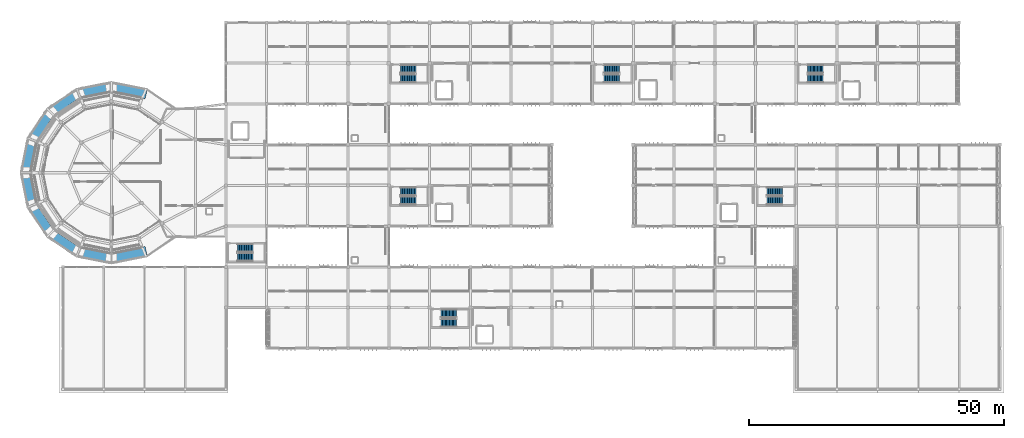
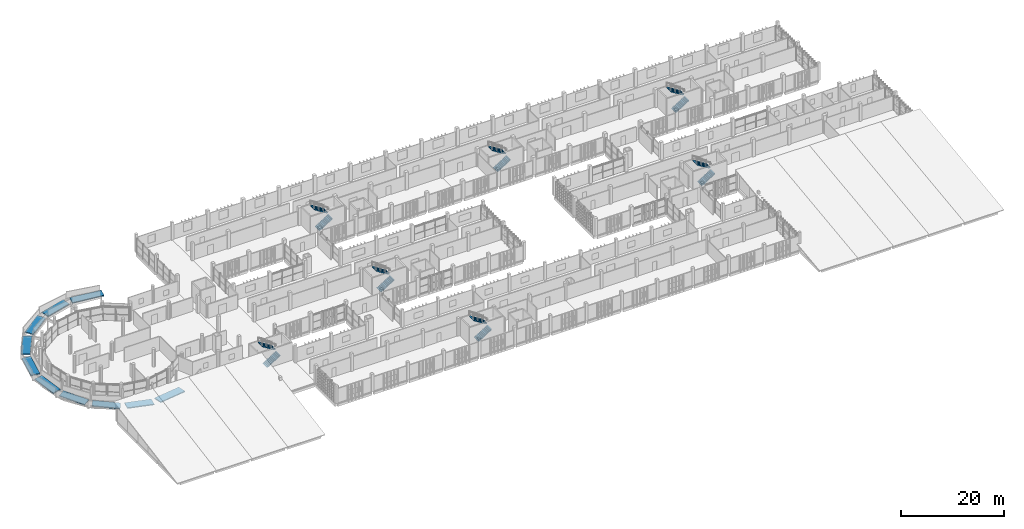
# One storey, part 75 of 83: 14 stair flights, 10 ramp flights, 8 elements without a shape of their own.
"""IFC4 building model written with IfcOpenShell, lengths in metres."""

from ifc_helpers import new_model, si_unit, direction, frame, origin, place, context, subcontext, project, spatial, polyline, outline, extrude, material, type_object, element, aggregate, save


model = new_model("IFC4")

# Units and contexts
model_context = context("Model", 3, precision=1e-05, world=origin(), true_north=direction((0.0, 1.0)))
body_context = subcontext(model_context, "Body", "Model", "MODEL_VIEW")
ifc_project = project(units=[si_unit("LENGTHUNIT", "METRE"), si_unit("AREAUNIT", "SQUARE_METRE"), si_unit("VOLUMEUNIT", "CUBIC_METRE"), si_unit("PLANEANGLEUNIT", "RADIAN"), si_unit("MASSUNIT", "GRAM", prefix="KILO")], contexts=[model_context])

# Site, building, storey
site_placement = place(None, origin())
site = spatial("IfcSite", under=ifc_project, at=site_placement, CompositionType="ELEMENT")
building_placement = place(site_placement, origin())
building = spatial("IfcBuilding", under=site, at=building_placement, Name="Jelvoka-Kovrelna Polytechnic", CompositionType="ELEMENT")
storey_placement = place(building_placement, frame((0.0, 0.0, 13.800048828125)))
storey = spatial("IfcBuildingStorey", under=building, at=storey_placement, Name="L04", CompositionType="ELEMENT", Elevation=13.800048828125)

# Stair, stair flights
ifc_material_1 = material(Name="Concrete C35/45", Category="concrete")
stair_type_1 = type_object("IfcStairType", Name="Stair_Dogleg_1620", PredefinedType="TWO_STRAIGHT_RUN_STAIR", material=ifc_material_1)
stair_1_placement = place(storey_placement, origin())
stair_1 = element("IfcStair", 1, at=stair_1_placement, inside=storey, type_object=stair_type_1, Name="L04 ST03", PredefinedType="TWO_STRAIGHT_RUN_STAIR")
ifc_material_2 = material(Name="Concrete C35/45", Category="concrete")
stair_flight_type = type_object("IfcStairFlightType", Name="Flight_RC_175", PredefinedType="STRAIGHT", material=ifc_material_2)
stair_flight_1_placement = place(storey_placement, frame((50.25, 25.909912109375, 0.0), z_axis=(0.0, 0.0, 1.0), x_axis=(1.0, 0.0, 0.0)))
stair_flight_1 = element("IfcStairFlight", 2, at=stair_flight_1_placement, type_object=stair_flight_type, Name="ST03 flight 1", NumberOfRisers=12, NumberOfTreads=11, PredefinedType="STRAIGHT", RiserHeight=0.175, TreadLength=0.275, context=body_context, shape_type="SweptSolid", body=[
    extrude(outline(polyline([(0.0, 0.0), (0.0, 0.175048828125), (0.27490234375, 0.175048828125), (0.27490234375, 0.35009765625), (0.550048828125, 0.35009765625), (0.550048828125, 0.52490234375), (0.824951171875, 0.52490234375), (0.824951171875, 0.699951171875), (1.10009765625, 0.699951171875), (1.10009765625, 0.875), (1.375, 0.875), (1.375, 1.050048828125), (1.64990234375, 1.050048828125), (1.64990234375, 1.22509765625), (1.925048828125, 1.22509765625), (1.925048828125, 1.39990234375), (2.199951171875, 1.39990234375), (2.199951171875, 1.574951171875), (2.47509765625, 1.574951171875), (2.47509765625, 1.75), (2.75, 1.75), (2.75, 1.925048828125), (3.02490234375, 1.925048828125), (3.02490234375, 2.10009765625), (3.02490234375, 1.711669921875), (0.335205078125, 0.0), (0.0, 0.0)])), frame((0.0, 0.81005859375, 0.0), z_axis=(0.0, -1.0, 0.0), x_axis=(1.0, 0.0, 0.0)), (0.0, 0.0, 1.0), 1.6201171875),
])
stair_flight_2_placement = place(storey_placement, frame((53.27490234375, 27.72998046875, 2.099853515625), z_axis=(0.0, 0.0, 1.0), x_axis=(-1.0, 0.0, 0.0)))
stair_flight_2 = element("IfcStairFlight", 3, at=stair_flight_2_placement, type_object=stair_flight_type, Name="ST03 flight 2", NumberOfRisers=12, NumberOfTreads=11, PredefinedType="STRAIGHT", RiserHeight=0.175, TreadLength=0.275, context=body_context, shape_type="SweptSolid", body=[
    extrude(outline(polyline([(0.0, 0.0), (0.0, 0.175048828125), (0.27490234375, 0.175048828125), (0.27490234375, 0.35009765625), (0.550048828125, 0.35009765625), (0.550048828125, 0.52490234375), (0.824951171875, 0.52490234375), (0.824951171875, 0.699951171875), (1.10009765625, 0.699951171875), (1.10009765625, 0.875), (1.375, 0.875), (1.375, 1.050048828125), (1.64990234375, 1.050048828125), (1.64990234375, 1.22509765625), (1.925048828125, 1.22509765625), (1.925048828125, 1.39990234375), (2.199951171875, 1.39990234375), (2.199951171875, 1.574951171875), (2.47509765625, 1.574951171875), (2.47509765625, 1.75), (2.75, 1.75), (2.75, 1.925048828125), (3.02490234375, 1.925048828125), (3.02490234375, 2.10009765625), (3.02490234375, 1.711669921875), (0.335205078125, 0.0), (0.0, 0.0)])), frame((0.0, 0.81005859375, 0.0), z_axis=(0.0, -1.0, 0.0), x_axis=(1.0, 0.0, 0.0)), (0.0, 0.0, 1.0), 1.6201171875),
])
aggregate(stair_1, [stair_flight_1, stair_flight_2])

stair_2_placement = place(storey_placement, origin())
stair_2 = element("IfcStair", 4, at=stair_2_placement, inside=storey, type_object=stair_type_1, Name="L04 ST06", PredefinedType="TWO_STRAIGHT_RUN_STAIR")
stair_flight_3_placement = place(storey_placement, frame((90.25, 13.010009765625, 0.0), z_axis=(0.0, 0.0, 1.0), x_axis=(1.0, 0.0, 0.0)))
stair_flight_3 = element("IfcStairFlight", 5, at=stair_flight_3_placement, type_object=stair_flight_type, Name="ST06 flight 1", NumberOfRisers=12, NumberOfTreads=11, PredefinedType="STRAIGHT", RiserHeight=0.175, TreadLength=0.275, context=body_context, shape_type="SweptSolid", body=[
    extrude(outline(polyline([(0.0, 0.0), (0.0, 0.175048828125), (0.27490234375, 0.175048828125), (0.27490234375, 0.35009765625), (0.550048828125, 0.35009765625), (0.550048828125, 0.52490234375), (0.824951171875, 0.52490234375), (0.824951171875, 0.699951171875), (1.10009765625, 0.699951171875), (1.10009765625, 0.875), (1.375, 0.875), (1.375, 1.050048828125), (1.64990234375, 1.050048828125), (1.64990234375, 1.22509765625), (1.925048828125, 1.22509765625), (1.925048828125, 1.39990234375), (2.199951171875, 1.39990234375), (2.199951171875, 1.574951171875), (2.47509765625, 1.574951171875), (2.47509765625, 1.75), (2.75, 1.75), (2.75, 1.925048828125), (3.02490234375, 1.925048828125), (3.02490234375, 2.10009765625), (3.02490234375, 1.711669921875), (0.335205078125, 0.0), (0.0, 0.0)])), frame((0.0, 0.81005859375, 0.0), z_axis=(0.0, -1.0, 0.0), x_axis=(1.0, 0.0, 0.0)), (0.0, 0.0, 1.0), 1.6201171875),
])
stair_flight_4_placement = place(storey_placement, frame((93.27490234375, 14.830078125, 2.099853515625), z_axis=(0.0, 0.0, 1.0), x_axis=(-1.0, 0.0, 0.0)))
stair_flight_4 = element("IfcStairFlight", 6, at=stair_flight_4_placement, type_object=stair_flight_type, Name="ST06 flight 2", NumberOfRisers=12, NumberOfTreads=11, PredefinedType="STRAIGHT", RiserHeight=0.175, TreadLength=0.275, context=body_context, shape_type="SweptSolid", body=[
    extrude(outline(polyline([(0.0, 0.0), (0.0, 0.175048828125), (0.27490234375, 0.175048828125), (0.27490234375, 0.35009765625), (0.550048828125, 0.35009765625), (0.550048828125, 0.52490234375), (0.824951171875, 0.52490234375), (0.824951171875, 0.699951171875), (1.10009765625, 0.699951171875), (1.10009765625, 0.875), (1.375, 0.875), (1.375, 1.050048828125), (1.64990234375, 1.050048828125), (1.64990234375, 1.22509765625), (1.925048828125, 1.22509765625), (1.925048828125, 1.39990234375), (2.199951171875, 1.39990234375), (2.199951171875, 1.574951171875), (2.47509765625, 1.574951171875), (2.47509765625, 1.75), (2.75, 1.75), (2.75, 1.925048828125), (3.02490234375, 1.925048828125), (3.02490234375, 2.10009765625), (3.02490234375, 1.711669921875), (0.335205078125, 0.0), (0.0, 0.0)])), frame((0.0, 0.81005859375, 0.0), z_axis=(0.0, -1.0, 0.0), x_axis=(1.0, 0.0, 0.0)), (0.0, 0.0, 1.0), 1.6201171875),
])
aggregate(stair_2, [stair_flight_3, stair_flight_4])

stair_3_placement = place(storey_placement, origin())
stair_3 = element("IfcStair", 7, at=stair_3_placement, inside=storey, type_object=stair_type_1, Name="L04 ST07", PredefinedType="TWO_STRAIGHT_RUN_STAIR")
stair_flight_5_placement = place(storey_placement, frame((82.25, 37.010009765625, 0.0), z_axis=(0.0, 0.0, 1.0), x_axis=(1.0, 0.0, 0.0)))
stair_flight_5 = element("IfcStairFlight", 8, at=stair_flight_5_placement, type_object=stair_flight_type, Name="ST07 flight 1", NumberOfRisers=12, NumberOfTreads=11, PredefinedType="STRAIGHT", RiserHeight=0.175, TreadLength=0.275, context=body_context, shape_type="SweptSolid", body=[
    extrude(outline(polyline([(0.0, 0.0), (0.0, 0.175048828125), (0.27490234375, 0.175048828125), (0.27490234375, 0.35009765625), (0.550048828125, 0.35009765625), (0.550048828125, 0.52490234375), (0.824951171875, 0.52490234375), (0.824951171875, 0.699951171875), (1.10009765625, 0.699951171875), (1.10009765625, 0.875), (1.375, 0.875), (1.375, 1.050048828125), (1.64990234375, 1.050048828125), (1.64990234375, 1.22509765625), (1.925048828125, 1.22509765625), (1.925048828125, 1.39990234375), (2.199951171875, 1.39990234375), (2.199951171875, 1.574951171875), (2.47509765625, 1.574951171875), (2.47509765625, 1.75), (2.75, 1.75), (2.75, 1.925048828125), (3.02490234375, 1.925048828125), (3.02490234375, 2.10009765625), (3.02490234375, 1.711669921875), (0.335205078125, 0.0), (0.0, 0.0)])), frame((0.0, 0.81005859375, 0.0), z_axis=(0.0, -1.0, 0.0), x_axis=(1.0, 0.0, 0.0)), (0.0, 0.0, 1.0), 1.6201171875),
])
stair_flight_6_placement = place(storey_placement, frame((85.27490234375, 38.830078125, 2.099853515625), z_axis=(0.0, 0.0, 1.0), x_axis=(-1.0, 0.0, 0.0)))
stair_flight_6 = element("IfcStairFlight", 9, at=stair_flight_6_placement, type_object=stair_flight_type, Name="ST07 flight 2", NumberOfRisers=12, NumberOfTreads=11, PredefinedType="STRAIGHT", RiserHeight=0.175, TreadLength=0.275, context=body_context, shape_type="SweptSolid", body=[
    extrude(outline(polyline([(0.0, 0.0), (0.0, 0.175048828125), (0.27490234375, 0.175048828125), (0.27490234375, 0.35009765625), (0.550048828125, 0.35009765625), (0.550048828125, 0.52490234375), (0.824951171875, 0.52490234375), (0.824951171875, 0.699951171875), (1.10009765625, 0.699951171875), (1.10009765625, 0.875), (1.375, 0.875), (1.375, 1.050048828125), (1.64990234375, 1.050048828125), (1.64990234375, 1.22509765625), (1.925048828125, 1.22509765625), (1.925048828125, 1.39990234375), (2.199951171875, 1.39990234375), (2.199951171875, 1.574951171875), (2.47509765625, 1.574951171875), (2.47509765625, 1.75), (2.75, 1.75), (2.75, 1.925048828125), (3.02490234375, 1.925048828125), (3.02490234375, 2.10009765625), (3.02490234375, 1.711669921875), (0.335205078125, 0.0), (0.0, 0.0)])), frame((0.0, 0.81005859375, 0.0), z_axis=(0.0, -1.0, 0.0), x_axis=(1.0, 0.0, 0.0)), (0.0, 0.0, 1.0), 1.6201171875),
])
aggregate(stair_3, [stair_flight_5, stair_flight_6])

stair_4_placement = place(storey_placement, origin())
stair_4 = element("IfcStair", 10, at=stair_4_placement, inside=storey, type_object=stair_type_1, Name="L04 ST08", PredefinedType="TWO_STRAIGHT_RUN_STAIR")
stair_flight_7_placement = place(storey_placement, frame((154.25, 37.010009765625, 0.0), z_axis=(0.0, 0.0, 1.0), x_axis=(1.0, 0.0, 0.0)))
stair_flight_7 = element("IfcStairFlight", 11, at=stair_flight_7_placement, type_object=stair_flight_type, Name="ST08 flight 1", NumberOfRisers=12, NumberOfTreads=11, PredefinedType="STRAIGHT", RiserHeight=0.175, TreadLength=0.275, context=body_context, shape_type="SweptSolid", body=[
    extrude(outline(polyline([(0.0, 0.0), (0.0, 0.175048828125), (0.27490234375, 0.175048828125), (0.27490234375, 0.35009765625), (0.550048828125, 0.35009765625), (0.550048828125, 0.52490234375), (0.824951171875, 0.52490234375), (0.824951171875, 0.699951171875), (1.10009765625, 0.699951171875), (1.10009765625, 0.875), (1.375, 0.875), (1.375, 1.050048828125), (1.64990234375, 1.050048828125), (1.64990234375, 1.22509765625), (1.925048828125, 1.22509765625), (1.925048828125, 1.39990234375), (2.199951171875, 1.39990234375), (2.199951171875, 1.574951171875), (2.47509765625, 1.574951171875), (2.47509765625, 1.75), (2.75, 1.75), (2.75, 1.925048828125), (3.02490234375, 1.925048828125), (3.02490234375, 2.10009765625), (3.02490234375, 1.711669921875), (0.335205078125, 0.0), (0.0, 0.0)])), frame((0.0, 0.81005859375, 0.0), z_axis=(0.0, -1.0, 0.0), x_axis=(1.0, 0.0, 0.0)), (0.0, 0.0, 1.0), 1.6201171875),
])
stair_flight_8_placement = place(storey_placement, frame((157.27490234375, 38.830078125, 2.099853515625), z_axis=(0.0, 0.0, 1.0), x_axis=(-1.0, 0.0, 0.0)))
stair_flight_8 = element("IfcStairFlight", 12, at=stair_flight_8_placement, type_object=stair_flight_type, Name="ST08 flight 2", NumberOfRisers=12, NumberOfTreads=11, PredefinedType="STRAIGHT", RiserHeight=0.175, TreadLength=0.275, context=body_context, shape_type="SweptSolid", body=[
    extrude(outline(polyline([(0.0, 0.0), (0.0, 0.175048828125), (0.27490234375, 0.175048828125), (0.27490234375, 0.35009765625), (0.550048828125, 0.35009765625), (0.550048828125, 0.52490234375), (0.824951171875, 0.52490234375), (0.824951171875, 0.699951171875), (1.10009765625, 0.699951171875), (1.10009765625, 0.875), (1.375, 0.875), (1.375, 1.050048828125), (1.64990234375, 1.050048828125), (1.64990234375, 1.22509765625), (1.925048828125, 1.22509765625), (1.925048828125, 1.39990234375), (2.199951171875, 1.39990234375), (2.199951171875, 1.574951171875), (2.47509765625, 1.574951171875), (2.47509765625, 1.75), (2.75, 1.75), (2.75, 1.925048828125), (3.02490234375, 1.925048828125), (3.02490234375, 2.10009765625), (3.02490234375, 1.711669921875), (0.335205078125, 0.0), (0.0, 0.0)])), frame((0.0, 0.81005859375, 0.0), z_axis=(0.0, -1.0, 0.0), x_axis=(1.0, 0.0, 0.0)), (0.0, 0.0, 1.0), 1.6201171875),
])
aggregate(stair_4, [stair_flight_7, stair_flight_8])

stair_5_placement = place(storey_placement, origin())
stair_5 = element("IfcStair", 13, at=stair_5_placement, inside=storey, type_object=stair_type_1, Name="L04 ST09", PredefinedType="TWO_STRAIGHT_RUN_STAIR")
stair_flight_9_placement = place(storey_placement, frame((82.25, 61.010009765625, 0.0), z_axis=(0.0, 0.0, 1.0), x_axis=(1.0, 0.0, 0.0)))
stair_flight_9 = element("IfcStairFlight", 14, at=stair_flight_9_placement, type_object=stair_flight_type, Name="ST09 flight 1", NumberOfRisers=12, NumberOfTreads=11, PredefinedType="STRAIGHT", RiserHeight=0.175, TreadLength=0.275, context=body_context, shape_type="SweptSolid", body=[
    extrude(outline(polyline([(0.0, 0.0), (0.0, 0.175048828125), (0.27490234375, 0.175048828125), (0.27490234375, 0.35009765625), (0.550048828125, 0.35009765625), (0.550048828125, 0.52490234375), (0.824951171875, 0.52490234375), (0.824951171875, 0.699951171875), (1.10009765625, 0.699951171875), (1.10009765625, 0.875), (1.375, 0.875), (1.375, 1.050048828125), (1.64990234375, 1.050048828125), (1.64990234375, 1.22509765625), (1.925048828125, 1.22509765625), (1.925048828125, 1.39990234375), (2.199951171875, 1.39990234375), (2.199951171875, 1.574951171875), (2.47509765625, 1.574951171875), (2.47509765625, 1.75), (2.75, 1.75), (2.75, 1.925048828125), (3.02490234375, 1.925048828125), (3.02490234375, 2.10009765625), (3.02490234375, 1.711669921875), (0.335205078125, 0.0), (0.0, 0.0)])), frame((0.0, 0.81005859375, 0.0), z_axis=(0.0, -1.0, 0.0), x_axis=(1.0, 0.0, 0.0)), (0.0, 0.0, 1.0), 1.6201171875),
])
stair_flight_10_placement = place(storey_placement, frame((85.27490234375, 62.830078125, 2.099853515625), z_axis=(0.0, 0.0, 1.0), x_axis=(-1.0, 0.0, 0.0)))
stair_flight_10 = element("IfcStairFlight", 15, at=stair_flight_10_placement, type_object=stair_flight_type, Name="ST09 flight 2", NumberOfRisers=12, NumberOfTreads=11, PredefinedType="STRAIGHT", RiserHeight=0.175, TreadLength=0.275, context=body_context, shape_type="SweptSolid", body=[
    extrude(outline(polyline([(0.0, 0.0), (0.0, 0.175048828125), (0.27490234375, 0.175048828125), (0.27490234375, 0.35009765625), (0.550048828125, 0.35009765625), (0.550048828125, 0.52490234375), (0.824951171875, 0.52490234375), (0.824951171875, 0.699951171875), (1.10009765625, 0.699951171875), (1.10009765625, 0.875), (1.375, 0.875), (1.375, 1.050048828125), (1.64990234375, 1.050048828125), (1.64990234375, 1.22509765625), (1.925048828125, 1.22509765625), (1.925048828125, 1.39990234375), (2.199951171875, 1.39990234375), (2.199951171875, 1.574951171875), (2.47509765625, 1.574951171875), (2.47509765625, 1.75), (2.75, 1.75), (2.75, 1.925048828125), (3.02490234375, 1.925048828125), (3.02490234375, 2.10009765625), (3.02490234375, 1.711669921875), (0.335205078125, 0.0), (0.0, 0.0)])), frame((0.0, 0.81005859375, 0.0), z_axis=(0.0, -1.0, 0.0), x_axis=(1.0, 0.0, 0.0)), (0.0, 0.0, 1.0), 1.6201171875),
])
aggregate(stair_5, [stair_flight_9, stair_flight_10])

stair_6_placement = place(storey_placement, origin())
stair_6 = element("IfcStair", 16, at=stair_6_placement, inside=storey, type_object=stair_type_1, Name="L04 ST10", PredefinedType="TWO_STRAIGHT_RUN_STAIR")
stair_flight_11_placement = place(storey_placement, frame((162.25, 61.010009765625, 0.0), z_axis=(0.0, 0.0, 1.0), x_axis=(1.0, 0.0, 0.0)))
stair_flight_11 = element("IfcStairFlight", 17, at=stair_flight_11_placement, type_object=stair_flight_type, Name="ST10 flight 1", NumberOfRisers=12, NumberOfTreads=11, PredefinedType="STRAIGHT", RiserHeight=0.175, TreadLength=0.275, context=body_context, shape_type="SweptSolid", body=[
    extrude(outline(polyline([(0.0, 0.0), (0.0, 0.175048828125), (0.27490234375, 0.175048828125), (0.27490234375, 0.35009765625), (0.550048828125, 0.35009765625), (0.550048828125, 0.52490234375), (0.824951171875, 0.52490234375), (0.824951171875, 0.699951171875), (1.10009765625, 0.699951171875), (1.10009765625, 0.875), (1.375, 0.875), (1.375, 1.050048828125), (1.64990234375, 1.050048828125), (1.64990234375, 1.22509765625), (1.925048828125, 1.22509765625), (1.925048828125, 1.39990234375), (2.199951171875, 1.39990234375), (2.199951171875, 1.574951171875), (2.47509765625, 1.574951171875), (2.47509765625, 1.75), (2.75, 1.75), (2.75, 1.925048828125), (3.02490234375, 1.925048828125), (3.02490234375, 2.10009765625), (3.02490234375, 1.711669921875), (0.335205078125, 0.0), (0.0, 0.0)])), frame((0.0, 0.81005859375, 0.0), z_axis=(0.0, -1.0, 0.0), x_axis=(1.0, 0.0, 0.0)), (0.0, 0.0, 1.0), 1.6201171875),
])
stair_flight_12_placement = place(storey_placement, frame((165.27490234375, 62.830078125, 2.099853515625), z_axis=(0.0, 0.0, 1.0), x_axis=(-1.0, 0.0, 0.0)))
stair_flight_12 = element("IfcStairFlight", 18, at=stair_flight_12_placement, type_object=stair_flight_type, Name="ST10 flight 2", NumberOfRisers=12, NumberOfTreads=11, PredefinedType="STRAIGHT", RiserHeight=0.175, TreadLength=0.275, context=body_context, shape_type="SweptSolid", body=[
    extrude(outline(polyline([(0.0, 0.0), (0.0, 0.175048828125), (0.27490234375, 0.175048828125), (0.27490234375, 0.35009765625), (0.550048828125, 0.35009765625), (0.550048828125, 0.52490234375), (0.824951171875, 0.52490234375), (0.824951171875, 0.699951171875), (1.10009765625, 0.699951171875), (1.10009765625, 0.875), (1.375, 0.875), (1.375, 1.050048828125), (1.64990234375, 1.050048828125), (1.64990234375, 1.22509765625), (1.925048828125, 1.22509765625), (1.925048828125, 1.39990234375), (2.199951171875, 1.39990234375), (2.199951171875, 1.574951171875), (2.47509765625, 1.574951171875), (2.47509765625, 1.75), (2.75, 1.75), (2.75, 1.925048828125), (3.02490234375, 1.925048828125), (3.02490234375, 2.10009765625), (3.02490234375, 1.711669921875), (0.335205078125, 0.0), (0.0, 0.0)])), frame((0.0, 0.81005859375, 0.0), z_axis=(0.0, -1.0, 0.0), x_axis=(1.0, 0.0, 0.0)), (0.0, 0.0, 1.0), 1.6201171875),
])
aggregate(stair_6, [stair_flight_11, stair_flight_12])

ifc_material_3 = material(Name="Concrete C35/45", Category="concrete")
stair_type_2 = type_object("IfcStairType", Name="Stair_Dogleg_1580", PredefinedType="TWO_STRAIGHT_RUN_STAIR", material=ifc_material_3)
stair_7_placement = place(storey_placement, origin())
stair_7 = element("IfcStair", 19, at=stair_7_placement, inside=storey, type_object=stair_type_2, Name="L04 ST11", PredefinedType="TWO_STRAIGHT_RUN_STAIR")
stair_flight_13_placement = place(storey_placement, frame((122.25, 60.989990234375, 0.0), z_axis=(0.0, 0.0, 1.0), x_axis=(1.0, 0.0, 0.0)))
stair_flight_13 = element("IfcStairFlight", 20, at=stair_flight_13_placement, type_object=stair_flight_type, Name="ST11 flight 1", NumberOfRisers=12, NumberOfTreads=11, PredefinedType="STRAIGHT", RiserHeight=0.175, TreadLength=0.275, context=body_context, shape_type="SweptSolid", body=[
    extrude(outline(polyline([(0.0, 0.0), (0.0, 0.175048828125), (0.27490234375, 0.175048828125), (0.27490234375, 0.35009765625), (0.550048828125, 0.35009765625), (0.550048828125, 0.52490234375), (0.824951171875, 0.52490234375), (0.824951171875, 0.699951171875), (1.10009765625, 0.699951171875), (1.10009765625, 0.875), (1.375, 0.875), (1.375, 1.050048828125), (1.64990234375, 1.050048828125), (1.64990234375, 1.22509765625), (1.925048828125, 1.22509765625), (1.925048828125, 1.39990234375), (2.199951171875, 1.39990234375), (2.199951171875, 1.574951171875), (2.47509765625, 1.574951171875), (2.47509765625, 1.75), (2.75, 1.75), (2.75, 1.925048828125), (3.02490234375, 1.925048828125), (3.02490234375, 2.10009765625), (3.02490234375, 1.711669921875), (0.335205078125, 0.0), (0.0, 0.0)])), frame((0.0, 0.7900390625, 0.0), z_axis=(0.0, -1.0, 0.0), x_axis=(1.0, 0.0, 0.0)), (0.0, 0.0, 1.0), 1.580078125),
])
stair_flight_14_placement = place(storey_placement, frame((125.27490234375, 62.85009765625, 2.099853515625), z_axis=(0.0, 0.0, 1.0), x_axis=(-1.0, 0.0, 0.0)))
stair_flight_14 = element("IfcStairFlight", 21, at=stair_flight_14_placement, type_object=stair_flight_type, Name="ST11 flight 2", NumberOfRisers=12, NumberOfTreads=11, PredefinedType="STRAIGHT", RiserHeight=0.175, TreadLength=0.275, context=body_context, shape_type="SweptSolid", body=[
    extrude(outline(polyline([(0.0, 0.0), (0.0, 0.175048828125), (0.27490234375, 0.175048828125), (0.27490234375, 0.35009765625), (0.550048828125, 0.35009765625), (0.550048828125, 0.52490234375), (0.824951171875, 0.52490234375), (0.824951171875, 0.699951171875), (1.10009765625, 0.699951171875), (1.10009765625, 0.875), (1.375, 0.875), (1.375, 1.050048828125), (1.64990234375, 1.050048828125), (1.64990234375, 1.22509765625), (1.925048828125, 1.22509765625), (1.925048828125, 1.39990234375), (2.199951171875, 1.39990234375), (2.199951171875, 1.574951171875), (2.47509765625, 1.574951171875), (2.47509765625, 1.75), (2.75, 1.75), (2.75, 1.925048828125), (3.02490234375, 1.925048828125), (3.02490234375, 2.10009765625), (3.02490234375, 1.711669921875), (0.335205078125, 0.0), (0.0, 0.0)])), frame((0.0, 0.7900390625, 0.0), z_axis=(0.0, -1.0, 0.0), x_axis=(1.0, 0.0, 0.0)), (0.0, 0.0, 1.0), 1.580078125),
])
aggregate(stair_7, [stair_flight_13, stair_flight_14])

# Ramp, ramp flights
ifc_material_4 = material(Name="Precast concrete C40/50", Category="concrete")
ramp_type = type_object("IfcRampType", Name="Ramp_Accessible_RC", PredefinedType="SPIRAL_RAMP", material=ifc_material_4)
ramp_placement = place(storey_placement, origin())
ramp = element("IfcRamp", 22, at=ramp_placement, inside=storey, type_object=ramp_type, Name="L04 spiral rotunda accessible ramp", PredefinedType="SPIRAL_RAMP")
ramp_flight_type = type_object("IfcRampFlightType", Name="RampFlight_RC_220", PredefinedType="STRAIGHT", material=ifc_material_4)
ramp_flight_1_placement = place(None, frame((32.32666015625, 27.0947265625, 13.800048828125), z_axis=(0.0, 0.0, 1.0), x_axis=(-0.97485927699, -0.222821430898, 0.0)))
ramp_flight_1 = element("IfcRampFlight", 23, at=ramp_flight_1_placement, type_object=ramp_flight_type, Name="L04 rotunda spiral ramp flight F01", PredefinedType="STRAIGHT", context=body_context, shape_type="SweptSolid", body=[
    extrude(outline(polyline([(0.0, 0.0), (6.444580078125, 0.47998046875), (6.444580078125, 0.260009765625), (0.0, -0.219970703125), (0.0, 0.0)])), frame((0.0, 0.929931640625, 0.0), z_axis=(0.0, -1.0, 0.0), x_axis=(1.0, 0.0, 0.0)), (0.0, 0.0, 1.0), 1.860107421875),
])
ramp_flight_2_placement = place(None, frame((24.9560546875, 25.65869140625, 14.280029296875), z_axis=(0.0, 0.0, 1.0), x_axis=(-0.980784885236, 0.195092308646, 0.0)))
ramp_flight_2 = element("IfcRampFlight", 24, at=ramp_flight_2_placement, type_object=ramp_flight_type, Name="L04 rotunda spiral ramp flight F02", PredefinedType="STRAIGHT", context=body_context, shape_type="SweptSolid", body=[
    extrude(outline(polyline([(0.0, 0.0), (5.504150390625, 0.360107421875), (5.504150390625, 0.139892578125), (0.0, -0.219970703125), (0.0, 0.0)])), frame((0.0, 0.929931640625, 0.0), z_axis=(0.0, -1.0, 0.0), x_axis=(1.0, 0.0, 0.0)), (0.0, 0.0, 1.0), 1.860107421875),
])
ramp_flight_3_placement = place(None, frame((18.552490234375, 27.14892578125, 14.639892578125), z_axis=(0.0, 0.0, 1.0), x_axis=(-0.831471251924, 0.555567779145, 0.0)))
ramp_flight_3 = element("IfcRampFlight", 25, at=ramp_flight_3_placement, type_object=ramp_flight_type, Name="L04 rotunda spiral ramp flight F03", PredefinedType="STRAIGHT", context=body_context, shape_type="SweptSolid", body=[
    extrude(outline(polyline([(0.0, 0.0), (5.504150390625, 0.419921875), (5.504150390625, 0.199951171875), (0.0, -0.219970703125), (0.0, 0.0)])), frame((0.0, 0.929931640625, 0.0), z_axis=(0.0, -1.0, 0.0), x_axis=(1.0, 0.0, 0.0)), (0.0, 0.0, 1.0), 1.860107421875),
])
ramp_flight_4_placement = place(None, frame((13.206787109375, 30.97607421875, 15.06005859375), z_axis=(0.0, 0.0, 1.0), x_axis=(-0.555567779145, 0.831471251924, 0.0)))
ramp_flight_4 = element("IfcRampFlight", 26, at=ramp_flight_4_placement, type_object=ramp_flight_type, Name="L04 rotunda spiral ramp flight F04", PredefinedType="STRAIGHT", context=body_context, shape_type="SweptSolid", body=[
    extrude(outline(polyline([(0.0, 0.0), (5.504150390625, 0.419921875), (5.504150390625, 0.199951171875), (0.0, -0.219970703125), (0.0, 0.0)])), frame((0.0, 0.929931640625, 0.0), z_axis=(0.0, -1.0, 0.0), x_axis=(1.0, 0.0, 0.0)), (0.0, 0.0, 1.0), 1.860107421875),
])
ramp_flight_5_placement = place(None, frame((9.732666015625, 36.5576171875, 15.47998046875), z_axis=(0.0, 0.0, 1.0), x_axis=(-0.195092308646, 0.980784885236, 0.0)))
ramp_flight_5 = element("IfcRampFlight", 27, at=ramp_flight_5_placement, type_object=ramp_flight_type, Name="L04 rotunda spiral ramp flight F05", PredefinedType="STRAIGHT", context=body_context, shape_type="SweptSolid", body=[
    extrude(outline(polyline([(0.0, 0.0), (5.504150390625, 0.419921875), (5.504150390625, 0.199951171875), (0.0, -0.219970703125), (0.0, 0.0)])), frame((0.0, 0.929931640625, 0.0), z_axis=(0.0, -1.0, 0.0), x_axis=(1.0, 0.0, 0.0)), (0.0, 0.0, 1.0), 1.860107421875),
])
ramp_flight_6_placement = place(None, frame((8.65869140625, 43.0439453125, 15.89990234375), z_axis=(0.0, 0.0, 1.0), x_axis=(0.195092308646, 0.980784885236, 0.0)))
ramp_flight_6 = element("IfcRampFlight", 28, at=ramp_flight_6_placement, type_object=ramp_flight_type, Name="L04 rotunda spiral ramp flight F06", PredefinedType="STRAIGHT", context=body_context, shape_type="SweptSolid", body=[
    extrude(outline(polyline([(0.0, 0.0), (5.504150390625, 0.419921875), (5.504150390625, 0.199951171875), (0.0, -0.219970703125), (0.0, 0.0)])), frame((0.0, 0.929931640625, 0.0), z_axis=(0.0, -1.0, 0.0), x_axis=(1.0, 0.0, 0.0)), (0.0, 0.0, 1.0), 1.860107421875),
])
ramp_flight_7_placement = place(None, frame((10.14892578125, 49.447509765625, 16.320068359375), z_axis=(0.0, 0.0, 1.0), x_axis=(0.555567779145, 0.831471251924, 0.0)))
ramp_flight_7 = element("IfcRampFlight", 29, at=ramp_flight_7_placement, type_object=ramp_flight_type, Name="L04 rotunda spiral ramp flight F07", PredefinedType="STRAIGHT", context=body_context, shape_type="SweptSolid", body=[
    extrude(outline(polyline([(0.0, 0.0), (5.504150390625, 0.419921875), (5.504150390625, 0.199951171875), (0.0, -0.219970703125), (0.0, 0.0)])), frame((0.0, 0.929931640625, 0.0), z_axis=(0.0, -1.0, 0.0), x_axis=(1.0, 0.0, 0.0)), (0.0, 0.0, 1.0), 1.860107421875),
])
ramp_flight_8_placement = place(None, frame((13.97607421875, 54.793212890625, 16.739990234375), z_axis=(0.0, 0.0, 1.0), x_axis=(0.831471251924, 0.555567779145, 0.0)))
ramp_flight_8 = element("IfcRampFlight", 30, at=ramp_flight_8_placement, type_object=ramp_flight_type, Name="L04 rotunda spiral ramp flight F08", PredefinedType="STRAIGHT", context=body_context, shape_type="SweptSolid", body=[
    extrude(outline(polyline([(0.0, 0.0), (5.504150390625, 0.419921875), (5.504150390625, 0.199951171875), (0.0, -0.219970703125), (0.0, 0.0)])), frame((0.0, 0.929931640625, 0.0), z_axis=(0.0, -1.0, 0.0), x_axis=(1.0, 0.0, 0.0)), (0.0, 0.0, 1.0), 1.860107421875),
])
ramp_flight_9_placement = place(None, frame((19.5576171875, 58.267333984375, 17.159912109375), z_axis=(0.0, 0.0, 1.0), x_axis=(0.980784885236, 0.195092308646, 0.0)))
ramp_flight_9 = element("IfcRampFlight", 31, at=ramp_flight_9_placement, type_object=ramp_flight_type, Name="L04 rotunda spiral ramp flight F09", PredefinedType="STRAIGHT", context=body_context, shape_type="SweptSolid", body=[
    extrude(outline(polyline([(0.0, 0.0), (5.504150390625, 0.419921875), (5.504150390625, 0.199951171875), (0.0, -0.219970703125), (0.0, 0.0)])), frame((0.0, 0.929931640625, 0.0), z_axis=(0.0, -1.0, 0.0), x_axis=(1.0, 0.0, 0.0)), (0.0, 0.0, 1.0), 1.860107421875),
])
ramp_flight_10_placement = place(None, frame((26.0439453125, 59.34130859375, 17.580078125), z_axis=(0.0, 0.0, 1.0), x_axis=(0.97485927699, -0.222821430898, 0.0)))
ramp_flight_10 = element("IfcRampFlight", 32, at=ramp_flight_10_placement, type_object=ramp_flight_type, Name="L04 rotunda spiral ramp flight F10", PredefinedType="STRAIGHT", context=body_context, shape_type="SweptSolid", body=[
    extrude(outline(polyline([(0.0, 0.0), (6.444580078125, 0.419921875), (6.444580078125, 0.199951171875), (0.0, -0.219970703125), (0.0, 0.0)])), frame((0.0, 0.929931640625, 0.0), z_axis=(0.0, -1.0, 0.0), x_axis=(1.0, 0.0, 0.0)), (0.0, 0.0, 1.0), 1.860107421875),
])
aggregate(ramp, [ramp_flight_1, ramp_flight_2, ramp_flight_3, ramp_flight_4, ramp_flight_5, ramp_flight_6, ramp_flight_7, ramp_flight_8, ramp_flight_9, ramp_flight_10])

save(model, "model.ifc")
